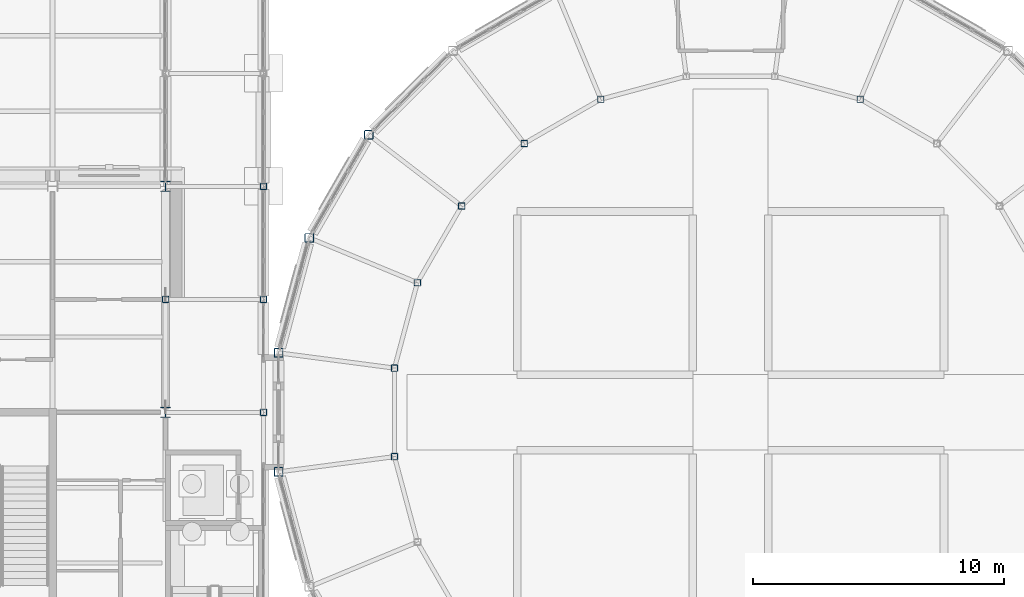
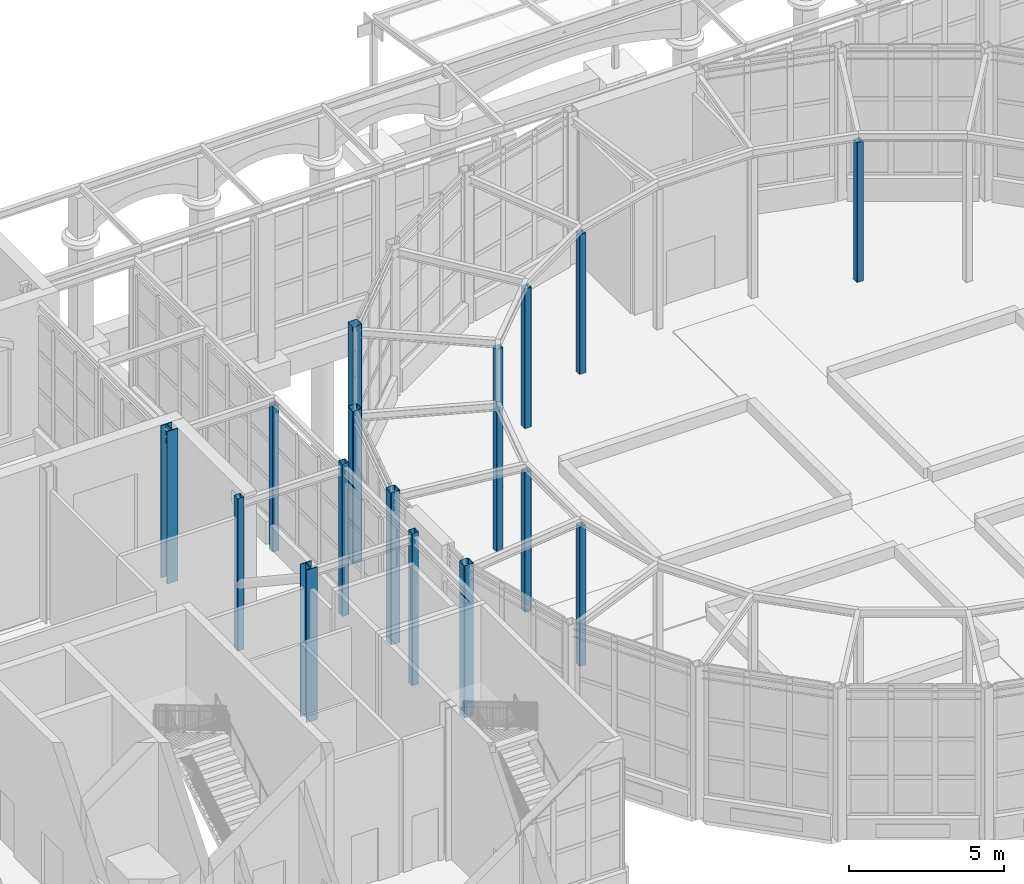
# One storey, part 9 of 106: 17 columns.
"""IFC4 building model written with IfcOpenShell, lengths in metres."""

from ifc_helpers import new_model, si_unit, direction, frame, origin, origin_2d, place, context, subcontext, project, spatial, hollow_rectangle, i_section, extrude, material, material_profile, profile_set, type_object, element, save


model = new_model("IFC4")

# Units and contexts
model_context = context("Model", 3, precision=1e-05, world=origin(), true_north=direction((0.0, 1.0)))
body_context = subcontext(model_context, "Body", "Model", "MODEL_VIEW")
ifc_project = project(units=[si_unit("LENGTHUNIT", "METRE"), si_unit("AREAUNIT", "SQUARE_METRE"), si_unit("VOLUMEUNIT", "CUBIC_METRE"), si_unit("PLANEANGLEUNIT", "RADIAN"), si_unit("MASSUNIT", "GRAM", prefix="KILO")], contexts=[model_context])

# Site, building, storey
site_placement = place(None, origin())
site = spatial("IfcSite", under=ifc_project, at=site_placement, CompositionType="ELEMENT")
building_placement = place(site_placement, origin())
building = spatial("IfcBuilding", under=site, at=building_placement, Name="Hortulan Conservatory and Botanical Research Centre", CompositionType="ELEMENT")
storey_placement = place(building_placement, origin())
storey = spatial("IfcBuildingStorey", under=building, at=storey_placement, Name="L00", CompositionType="ELEMENT", Elevation=0.0)

# Columns
ifc_material_1 = material(Name="Steel Grade C450L0 (450 MPa, AS/NZS 1163)", Category="steel")
ifc_material_profile_1 = material_profile(ifc_material_1, hollow_rectangle(XDim=0.35009765625, YDim=0.35009765625, WallThickness=0.012451171875, InnerFilletRadius=0.018798828125, OuterFilletRadius=0.03125, at=origin_2d()), Name="350x350x12.5SHS")
ifc_profile_set_1 = profile_set([ifc_material_profile_1], Name="Steel Grade C450L0 (450 MPa, AS/NZS 1163)")
column_type_1 = type_object("IfcColumnType", Name="Dome Drum Column 350x350x12.5 SHS", PredefinedType="COLUMN", material=ifc_profile_set_1)
for number, where, z_axis, x_axis, name in (
    (1, (39.596435546875, 29.05224609375, 0.0), (0.0, 0.0, 1.0), (1.0, 0.0, 0.0), "Dome drum column 10 L00"),
    (2, (37.226806640625, 24.94775390625, 0.0), (0.0, 0.0, 1.0), (1.0, 0.0, 0.0), "Dome drum column 11 L00"),
    (3, (36.0, 20.36962890625, 0.0), (0.0, 0.0, 1.0), (1.0, 0.0, 0.0), "Dome drum column 12 L00"),
    (4, (36.0, 15.63037109375, 0.0), (0.0, 0.0, 1.0), (1.0, 0.0, 0.0), "Dome drum column 13 L00"),
):
    element("IfcColumn", number, at=place(storey_placement, frame(where, z_axis=z_axis, x_axis=x_axis)), inside=storey, type_object=column_type_1, Name=name, PredefinedType="COLUMN", context=body_context, shape_type="SweptSolid", body=[
        extrude(hollow_rectangle(XDim=0.35009765625, YDim=0.35009765625, WallThickness=0.012451171875, InnerFilletRadius=0.018798828125, OuterFilletRadius=0.03125, at=origin_2d()), origin(), (0.0, 0.0, 1.0), 6.0),
    ])
ifc_material_profile_2 = material_profile(ifc_material_1, hollow_rectangle(XDim=0.25, YDim=0.25, WallThickness=0.009033203125, InnerFilletRadius=0.013427734375, OuterFilletRadius=0.0224609375, at=origin_2d()), Name="250x250x9SHS")
ifc_profile_set_2 = profile_set([ifc_material_profile_2], Name="Steel Grade C450L0 (450 MPa, AS/NZS 1163)")
column_type_2 = type_object("IfcColumnType", Name="Dome Walk Support Column 250x250x9 SHS", PredefinedType="COLUMN", material=ifc_profile_set_2)
for number, where, z_axis, x_axis, name in (
    (5, (59.166259765625, 30.472412109375, 0.0), (0.0, 0.0, 1.0), (1.0, 0.0, 0.0), "Dome walk support 05 L00"),
    (6, (48.833740234375, 30.472412109375, 0.0), (0.0, 0.0, 1.0), (1.0, 0.0, 0.0), "Dome walk support 08 L00"),
    (7, (45.78173828125, 28.710205078125, 0.0), (0.0, 0.0, 1.0), (1.0, 0.0, 0.0), "Dome walk support 09 L00"),
    (8, (43.289794921875, 26.21826171875, 0.0), (0.0, 0.0, 1.0), (1.0, 0.0, 0.0), "Dome walk support 10 L00"),
    (9, (41.527587890625, 23.166259765625, 0.0), (0.0, 0.0, 1.0), (1.0, 0.0, 0.0), "Dome walk support 11 L00"),
    (10, (40.615478515625, 19.76220703125, 0.0), (0.0, 0.0, 1.0), (1.0, 0.0, 0.0), "Dome walk support 12 L00"),
    (11, (40.615478515625, 16.23779296875, 0.0), (0.0, 0.0, 1.0), (1.0, 0.0, 0.0), "Dome walk support 13 L00"),
):
    element("IfcColumn", number, at=place(storey_placement, frame(where, z_axis=z_axis, x_axis=x_axis)), inside=storey, type_object=column_type_2, Name=name, PredefinedType="COLUMN", context=body_context, shape_type="SweptSolid", body=[
        extrude(hollow_rectangle(XDim=0.25, YDim=0.25, WallThickness=0.009033203125, InnerFilletRadius=0.013427734375, OuterFilletRadius=0.0224609375, at=origin_2d()), origin(), (0.0, 0.0, 1.0), 5.492919921875),
    ])
ifc_material_profile_3 = material_profile(ifc_material_1, hollow_rectangle(XDim=0.25, YDim=0.25, WallThickness=0.009033203125, InnerFilletRadius=0.013427734375, OuterFilletRadius=0.0224609375, at=origin_2d()), Name="250x250x9SHS")
ifc_profile_set_3 = profile_set([ifc_material_profile_3], Name="Steel Grade C450L0 (450 MPa, AS/NZS 1163)")
column_type_3 = type_object("IfcColumnType", Name="Head Link Column 250x250x9 SHS", PredefinedType="COLUMN", material=ifc_profile_set_3)
for number, where, z_axis, x_axis, name in (
    (12, (35.39990234375, 18.0, 0.0), (0.0, 0.0, 1.0), (1.0, 0.0, 0.0), "Head link column C-35.4-18.0 L00"),
    (13, (31.5, 22.5, 0.0), (0.0, 0.0, 1.0), (1.0, 0.0, 0.0), "Head link column C-31.5-22.5 L00"),
    (14, (35.39990234375, 22.5, 0.0), (0.0, 0.0, 1.0), (1.0, 0.0, 0.0), "Head link column C-35.4-22.5 L00"),
):
    element("IfcColumn", number, at=place(storey_placement, frame(where, z_axis=z_axis, x_axis=x_axis)), inside=storey, type_object=column_type_3, Name=name, PredefinedType="COLUMN", context=body_context, shape_type="SweptSolid", body=[
        extrude(hollow_rectangle(XDim=0.25, YDim=0.25, WallThickness=0.009033203125, InnerFilletRadius=0.013427734375, OuterFilletRadius=0.0224609375, at=origin_2d()), origin(), (0.0, 0.0, 1.0), 6.0),
    ])
column_placement = place(storey_placement, frame((35.39990234375, 27.0, -0.199951171875), z_axis=(0.0, 0.0, 1.0), x_axis=(1.0, 0.0, 0.0)))
element("IfcColumn", 15, at=column_placement, inside=storey, type_object=column_type_3, Name="Head link column P-35.4-27.0 L00", PredefinedType="COLUMN", context=body_context, shape_type="SweptSolid", body=[
    extrude(hollow_rectangle(XDim=0.25, YDim=0.25, WallThickness=0.009033203125, InnerFilletRadius=0.013427734375, OuterFilletRadius=0.0224609375, at=origin_2d()), origin(), (0.0, 0.0, 1.0), 5.745849609375),
])
ifc_material_2 = material(Name="Steel Grade 300 (AS/NZS 3679.2, plate AS/NZS 3678, 280 MPa minimum yield)", Category="steel")
ifc_material_profile_4 = material_profile(ifc_material_2, i_section(OverallWidth=0.39990234375, OverallDepth=0.422119140625, WebThickness=0.028076171875, FlangeThickness=0.035888671875, at=origin_2d()), Name="400WC303")
ifc_profile_set_4 = profile_set([ifc_material_profile_4], Name="Steel Grade 300 (AS/NZS 3679.2, plate AS/NZS 3678, 280 MPa minimum yield)")
column_type_4 = type_object("IfcColumnType", Name="Tower Column 400WC303", PredefinedType="COLUMN", material=ifc_profile_set_4)
for number, where, z_axis, x_axis, name in (
    (16, (31.5, 18.0, 0.0), (0.0, 0.0, 1.0), (1.0, 0.0, 0.0), "400WC303 column"),
    (17, (31.5, 27.0, 0.0), (0.0, 0.0, 1.0), (1.0, 0.0, 0.0), "400WC303 column"),
):
    element("IfcColumn", number, at=place(storey_placement, frame(where, z_axis=z_axis, x_axis=x_axis)), inside=storey, type_object=column_type_4, Name=name, PredefinedType="COLUMN", context=body_context, shape_type="SweptSolid", body=[
        extrude(i_section(OverallWidth=0.39990234375, OverallDepth=0.422119140625, WebThickness=0.028076171875, FlangeThickness=0.035888671875, at=origin_2d()), origin(), (0.0, 0.0, 1.0), 6.0),
    ])

save(model, "model.ifc")
